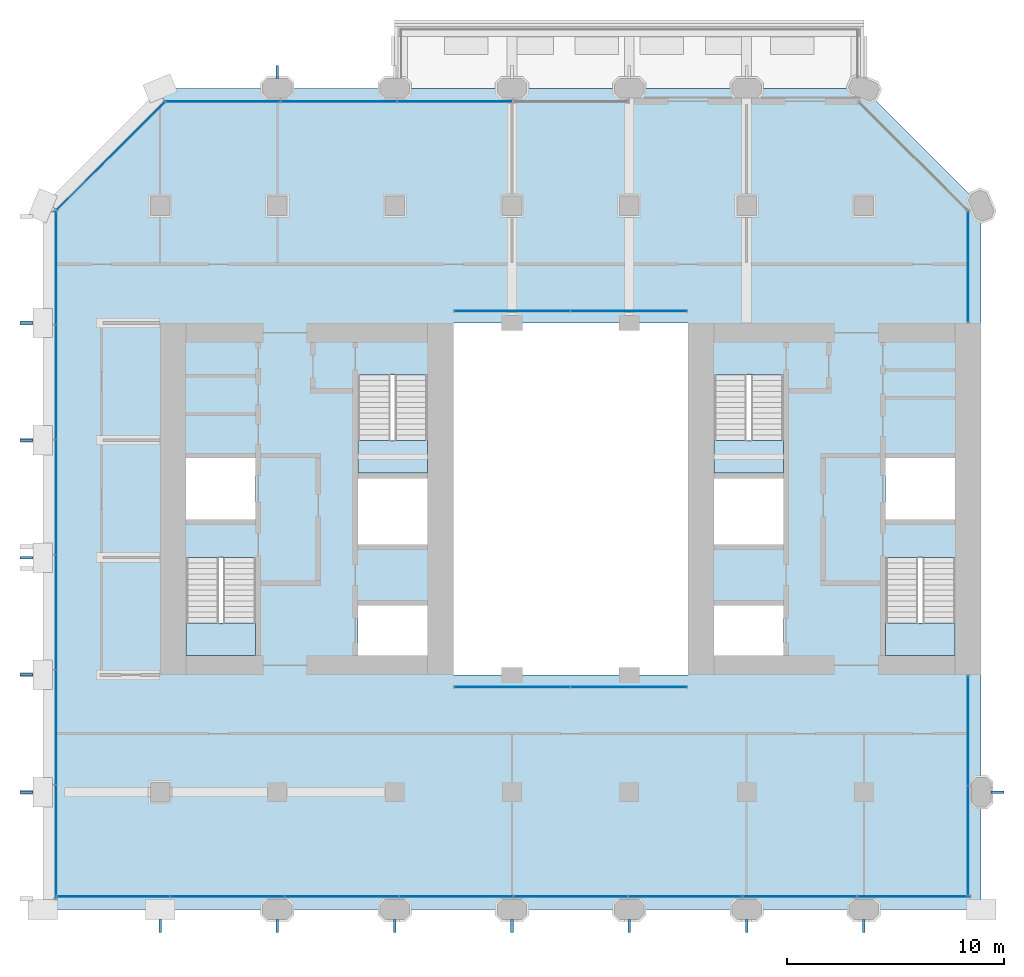
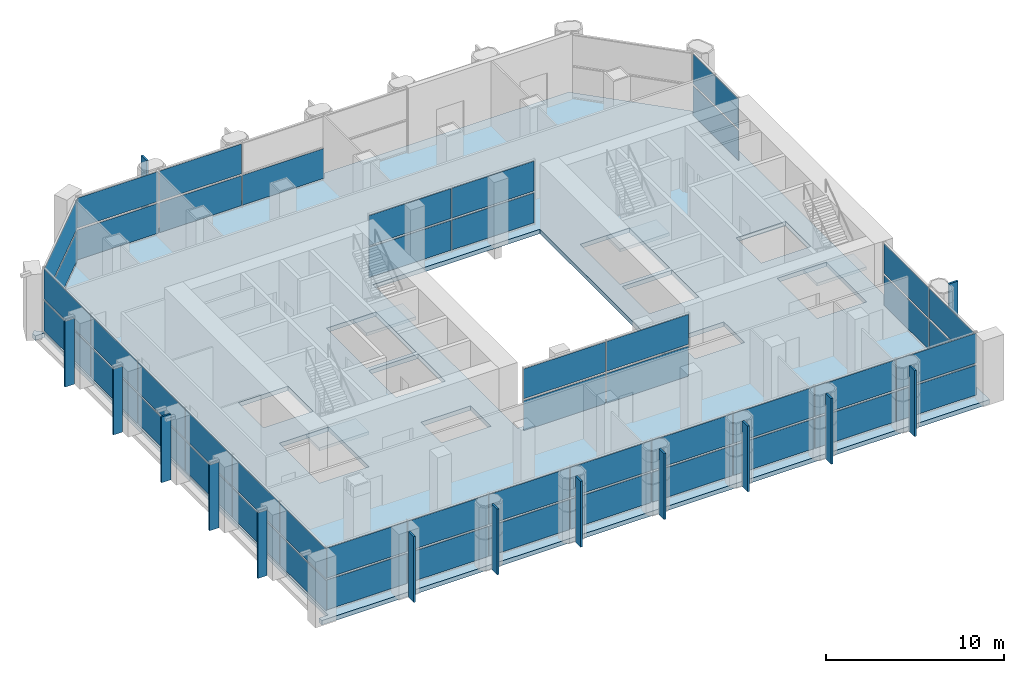
# One storey, part 9 of 15: 63 plates, 5 slabs, 12 elements without a shape of their own.
"""IFC4 building model written with IfcOpenShell, lengths in metres."""

from ifc_helpers import new_model, si_unit, direction, frame, origin, origin_2d, place, context, subcontext, project, spatial, polyline, rectangle, outline, extrude, material, layer, layer_set, type_object, element, aggregate, save


model = new_model("IFC4")

# Units and contexts
model_context = context("Model", 3, precision=1e-05, world=origin(), true_north=direction((0.0, 1.0)))
body_context = subcontext(model_context, "Body", "Model", "MODEL_VIEW")
ifc_project = project(units=[si_unit("LENGTHUNIT", "METRE"), si_unit("AREAUNIT", "SQUARE_METRE"), si_unit("VOLUMEUNIT", "CUBIC_METRE"), si_unit("PLANEANGLEUNIT", "RADIAN"), si_unit("MASSUNIT", "GRAM", prefix="KILO")], contexts=[model_context])

# Site, building, storey
site_placement = place(None, origin())
site = spatial("IfcSite", under=ifc_project, at=site_placement, CompositionType="ELEMENT")
building_placement = place(site_placement, origin())
building = spatial("IfcBuilding", under=site, at=building_placement, Name="Tabaq Tower and Sports Hall", CompositionType="ELEMENT")
storey_placement = place(building_placement, frame((0.0, 0.0, 148.0)))
storey = spatial("IfcBuildingStorey", under=building, at=storey_placement, Name="L34", CompositionType="ELEMENT", Elevation=148.0)

# Curtain wall, plates
ifc_material_1 = material(Name="Aluminium alloy 6063-T6 framed glazing", Category="aluminium")
curtain_wall_type_1 = type_object("IfcCurtainWallType", Name="CW1 curtain wall", PredefinedType="USERDEFINED", material=ifc_material_1)
curtain_wall_1_placement = place(storey_placement, origin())
curtain_wall_1 = element("IfcCurtainWall", 1, at=curtain_wall_1_placement, inside=storey, type_object=curtain_wall_type_1, Name="Atrium glazing L34 S", ObjectType="ATRIUM ENCLOSURE", PredefinedType="USERDEFINED")
ifc_material_2 = material(Name="Clear low-emissivity glass 28 mm", Category="glass")
ifc_layer_1 = layer(ifc_material_2, 0.028076171875)
ifc_layer_set_1 = layer_set([ifc_layer_1], Name="CW1 glass panel 28")
plate_type_1 = type_object("IfcPlateType", Name="CW1 glass panel 28", PredefinedType="CURTAIN_PANEL", material=ifc_layer_set_1)
plate_1_placement = place(storey_placement, frame((21.614990234375, 15.64990234375, 0.139892578125), z_axis=(0.0, 0.0, 1.0), x_axis=(1.0, 0.0, 0.0)))
plate_1 = element("IfcPlate", 2, at=plate_1_placement, type_object=plate_type_1, Name="CW1 panel 1.1", PredefinedType="CURTAIN_PANEL", context=body_context, shape_type="SweptSolid", body=[
    extrude(rectangle(XDim=5.31005859375, YDim=0.028076171875, at=origin_2d()), origin(), (0.0, 0.0, 1.0), 2.0400390625),
])
plate_2_placement = place(storey_placement, frame((21.614990234375, 15.64990234375, 2.320068359375), z_axis=(0.0, 0.0, 1.0), x_axis=(1.0, 0.0, 0.0)))
plate_2 = element("IfcPlate", 3, at=plate_2_placement, type_object=plate_type_1, Name="CW1 panel 1.2", PredefinedType="CURTAIN_PANEL", context=body_context, shape_type="SweptSolid", body=[
    extrude(rectangle(XDim=5.31005859375, YDim=0.028076171875, at=origin_2d()), origin(), (0.0, 0.0, 1.0), 2.0400390625),
])
plate_3_placement = place(storey_placement, frame((26.985107421875, 15.64990234375, 0.139892578125), z_axis=(0.0, 0.0, 1.0), x_axis=(1.0, 0.0, 0.0)))
plate_3 = element("IfcPlate", 4, at=plate_3_placement, type_object=plate_type_1, Name="CW1 panel 2.1", PredefinedType="CURTAIN_PANEL", context=body_context, shape_type="SweptSolid", body=[
    extrude(rectangle(XDim=5.31005859375, YDim=0.028076171875, at=origin_2d()), origin(), (0.0, 0.0, 1.0), 2.0400390625),
])
plate_4_placement = place(storey_placement, frame((26.985107421875, 15.64990234375, 2.320068359375), z_axis=(0.0, 0.0, 1.0), x_axis=(1.0, 0.0, 0.0)))
plate_4 = element("IfcPlate", 5, at=plate_4_placement, type_object=plate_type_1, Name="CW1 panel 2.2", PredefinedType="CURTAIN_PANEL", context=body_context, shape_type="SweptSolid", body=[
    extrude(rectangle(XDim=5.31005859375, YDim=0.028076171875, at=origin_2d()), origin(), (0.0, 0.0, 1.0), 2.0400390625),
])
aggregate(curtain_wall_1, [plate_1, plate_2, plate_3, plate_4])

curtain_wall_2_placement = place(storey_placement, origin())
curtain_wall_2 = element("IfcCurtainWall", 6, at=curtain_wall_2_placement, inside=storey, type_object=curtain_wall_type_1, Name="Atrium glazing L34 N", ObjectType="ATRIUM ENCLOSURE", PredefinedType="USERDEFINED")
plate_5_placement = place(storey_placement, frame((21.614990234375, 32.949951171875, 0.139892578125), z_axis=(0.0, 0.0, 1.0), x_axis=(1.0, 0.0, 0.0)))
plate_5 = element("IfcPlate", 7, at=plate_5_placement, type_object=plate_type_1, Name="CW1 panel 1.1", PredefinedType="CURTAIN_PANEL", context=body_context, shape_type="SweptSolid", body=[
    extrude(rectangle(XDim=5.31005859375, YDim=0.028076171875, at=origin_2d()), origin(), (0.0, 0.0, 1.0), 2.0400390625),
])
plate_6_placement = place(storey_placement, frame((21.614990234375, 32.949951171875, 2.320068359375), z_axis=(0.0, 0.0, 1.0), x_axis=(1.0, 0.0, 0.0)))
plate_6 = element("IfcPlate", 8, at=plate_6_placement, type_object=plate_type_1, Name="CW1 panel 1.2", PredefinedType="CURTAIN_PANEL", context=body_context, shape_type="SweptSolid", body=[
    extrude(rectangle(XDim=5.31005859375, YDim=0.028076171875, at=origin_2d()), origin(), (0.0, 0.0, 1.0), 2.0400390625),
])
plate_7_placement = place(storey_placement, frame((26.985107421875, 32.949951171875, 0.139892578125), z_axis=(0.0, 0.0, 1.0), x_axis=(1.0, 0.0, 0.0)))
plate_7 = element("IfcPlate", 9, at=plate_7_placement, type_object=plate_type_1, Name="CW1 panel 2.1", PredefinedType="CURTAIN_PANEL", context=body_context, shape_type="SweptSolid", body=[
    extrude(rectangle(XDim=5.31005859375, YDim=0.028076171875, at=origin_2d()), origin(), (0.0, 0.0, 1.0), 2.0400390625),
])
plate_8_placement = place(storey_placement, frame((26.985107421875, 32.949951171875, 2.320068359375), z_axis=(0.0, 0.0, 1.0), x_axis=(1.0, 0.0, 0.0)))
plate_8 = element("IfcPlate", 10, at=plate_8_placement, type_object=plate_type_1, Name="CW1 panel 2.2", PredefinedType="CURTAIN_PANEL", context=body_context, shape_type="SweptSolid", body=[
    extrude(rectangle(XDim=5.31005859375, YDim=0.028076171875, at=origin_2d()), origin(), (0.0, 0.0, 1.0), 2.0400390625),
])
aggregate(curtain_wall_2, [plate_5, plate_6, plate_7, plate_8])

ifc_material_3 = material(Name="Aluminium alloy 6063-T6 framed glazing", Category="aluminium")
curtain_wall_type_2 = type_object("IfcCurtainWallType", Name="CW3 curtain wall", PredefinedType="USERDEFINED", material=ifc_material_3)
curtain_wall_3_placement = place(storey_placement, origin())
curtain_wall_3 = element("IfcCurtainWall", 11, at=curtain_wall_3_placement, inside=storey, type_object=curtain_wall_type_2, Name="Garden Floor Wall L34 S", ObjectType="GARDEN FLOOR WALL", PredefinedType="USERDEFINED")
ifc_material_4 = material(Name="Clear low-emissivity glass 28 mm", Category="glass")
ifc_layer_2 = layer(ifc_material_4, 0.028076171875)
ifc_layer_set_2 = layer_set([ifc_layer_2], Name="CW3 glass panel 28")
plate_type_2 = type_object("IfcPlateType", Name="CW3 glass panel 28", PredefinedType="CURTAIN_PANEL", material=ifc_layer_set_2)
plate_9_placement = place(storey_placement, frame((3.249267578125, 6.0, 0.139892578125), z_axis=(0.0, 0.0, 1.0), x_axis=(1.0, 0.0, 0.0)))
plate_9 = element("IfcPlate", 12, at=plate_9_placement, type_object=plate_type_2, Name="CW3 panel 1.1", PredefinedType="CURTAIN_PANEL", context=body_context, shape_type="SweptSolid", body=[
    extrude(rectangle(XDim=5.1787109375, YDim=0.028076171875, at=origin_2d()), origin(), (0.0, 0.0, 1.0), 2.0400390625),
])
plate_10_placement = place(storey_placement, frame((3.249267578125, 6.0, 2.320068359375), z_axis=(0.0, 0.0, 1.0), x_axis=(1.0, 0.0, 0.0)))
plate_10 = element("IfcPlate", 13, at=plate_10_placement, type_object=plate_type_2, Name="CW3 panel 1.2", PredefinedType="CURTAIN_PANEL", context=body_context, shape_type="SweptSolid", body=[
    extrude(rectangle(XDim=5.1787109375, YDim=0.028076171875, at=origin_2d()), origin(), (0.0, 0.0, 1.0), 2.0400390625),
])
plate_11_placement = place(storey_placement, frame((8.503173828125, 6.0, 0.139892578125), z_axis=(0.0, 0.0, 1.0), x_axis=(1.0, 0.0, 0.0)))
plate_11 = element("IfcPlate", 14, at=plate_11_placement, type_object=plate_type_2, Name="CW3 panel 2.1", PredefinedType="CURTAIN_PANEL", context=body_context, shape_type="SweptSolid", body=[
    extrude(rectangle(XDim=5.208740234375, YDim=0.028076171875, at=origin_2d()), origin(), (0.0, 0.0, 1.0), 2.0400390625),
])
plate_12_placement = place(storey_placement, frame((8.503173828125, 6.0, 2.320068359375), z_axis=(0.0, 0.0, 1.0), x_axis=(1.0, 0.0, 0.0)))
plate_12 = element("IfcPlate", 15, at=plate_12_placement, type_object=plate_type_2, Name="CW3 panel 2.2", PredefinedType="CURTAIN_PANEL", context=body_context, shape_type="SweptSolid", body=[
    extrude(rectangle(XDim=5.208740234375, YDim=0.028076171875, at=origin_2d()), origin(), (0.0, 0.0, 1.0), 2.0400390625),
])
plate_13_placement = place(storey_placement, frame((13.77197265625, 6.0, 0.139892578125), z_axis=(0.0, 0.0, 1.0), x_axis=(1.0, 0.0, 0.0)))
plate_13 = element("IfcPlate", 16, at=plate_13_placement, type_object=plate_type_2, Name="CW3 panel 3.1", PredefinedType="CURTAIN_PANEL", context=body_context, shape_type="SweptSolid", body=[
    extrude(rectangle(XDim=5.208740234375, YDim=0.028076171875, at=origin_2d()), origin(), (0.0, 0.0, 1.0), 2.0400390625),
])
plate_14_placement = place(storey_placement, frame((13.77197265625, 6.0, 2.320068359375), z_axis=(0.0, 0.0, 1.0), x_axis=(1.0, 0.0, 0.0)))
plate_14 = element("IfcPlate", 17, at=plate_14_placement, type_object=plate_type_2, Name="CW3 panel 3.2", PredefinedType="CURTAIN_PANEL", context=body_context, shape_type="SweptSolid", body=[
    extrude(rectangle(XDim=5.208740234375, YDim=0.028076171875, at=origin_2d()), origin(), (0.0, 0.0, 1.0), 2.0400390625),
])
plate_15_placement = place(storey_placement, frame((19.04052734375, 6.0, 0.139892578125), z_axis=(0.0, 0.0, 1.0), x_axis=(1.0, 0.0, 0.0)))
plate_15 = element("IfcPlate", 18, at=plate_15_placement, type_object=plate_type_2, Name="CW3 panel 4.1", PredefinedType="CURTAIN_PANEL", context=body_context, shape_type="SweptSolid", body=[
    extrude(rectangle(XDim=5.208740234375, YDim=0.028076171875, at=origin_2d()), origin(), (0.0, 0.0, 1.0), 2.0400390625),
])
plate_16_placement = place(storey_placement, frame((19.04052734375, 6.0, 2.320068359375), z_axis=(0.0, 0.0, 1.0), x_axis=(1.0, 0.0, 0.0)))
plate_16 = element("IfcPlate", 19, at=plate_16_placement, type_object=plate_type_2, Name="CW3 panel 4.2", PredefinedType="CURTAIN_PANEL", context=body_context, shape_type="SweptSolid", body=[
    extrude(rectangle(XDim=5.208740234375, YDim=0.028076171875, at=origin_2d()), origin(), (0.0, 0.0, 1.0), 2.0400390625),
])
plate_17_placement = place(storey_placement, frame((24.309326171875, 6.0, 0.139892578125), z_axis=(0.0, 0.0, 1.0), x_axis=(1.0, 0.0, 0.0)))
plate_17 = element("IfcPlate", 20, at=plate_17_placement, type_object=plate_type_2, Name="CW3 panel 5.1", PredefinedType="CURTAIN_PANEL", context=body_context, shape_type="SweptSolid", body=[
    extrude(rectangle(XDim=5.208740234375, YDim=0.028076171875, at=origin_2d()), origin(), (0.0, 0.0, 1.0), 2.0400390625),
])
plate_18_placement = place(storey_placement, frame((24.309326171875, 6.0, 2.320068359375), z_axis=(0.0, 0.0, 1.0), x_axis=(1.0, 0.0, 0.0)))
plate_18 = element("IfcPlate", 21, at=plate_18_placement, type_object=plate_type_2, Name="CW3 panel 5.2", PredefinedType="CURTAIN_PANEL", context=body_context, shape_type="SweptSolid", body=[
    extrude(rectangle(XDim=5.208740234375, YDim=0.028076171875, at=origin_2d()), origin(), (0.0, 0.0, 1.0), 2.0400390625),
])
plate_19_placement = place(storey_placement, frame((29.578125, 6.0, 0.139892578125), z_axis=(0.0, 0.0, 1.0), x_axis=(1.0, 0.0, 0.0)))
plate_19 = element("IfcPlate", 22, at=plate_19_placement, type_object=plate_type_2, Name="CW3 panel 6.1", PredefinedType="CURTAIN_PANEL", context=body_context, shape_type="SweptSolid", body=[
    extrude(rectangle(XDim=5.208740234375, YDim=0.028076171875, at=origin_2d()), origin(), (0.0, 0.0, 1.0), 2.0400390625),
])
plate_20_placement = place(storey_placement, frame((29.578125, 6.0, 2.320068359375), z_axis=(0.0, 0.0, 1.0), x_axis=(1.0, 0.0, 0.0)))
plate_20 = element("IfcPlate", 23, at=plate_20_placement, type_object=plate_type_2, Name="CW3 panel 6.2", PredefinedType="CURTAIN_PANEL", context=body_context, shape_type="SweptSolid", body=[
    extrude(rectangle(XDim=5.208740234375, YDim=0.028076171875, at=origin_2d()), origin(), (0.0, 0.0, 1.0), 2.0400390625),
])
plate_21_placement = place(storey_placement, frame((34.846923828125, 6.0, 0.139892578125), z_axis=(0.0, 0.0, 1.0), x_axis=(1.0, 0.0, 0.0)))
plate_21 = element("IfcPlate", 24, at=plate_21_placement, type_object=plate_type_2, Name="CW3 panel 7.1", PredefinedType="CURTAIN_PANEL", context=body_context, shape_type="SweptSolid", body=[
    extrude(rectangle(XDim=5.208740234375, YDim=0.028076171875, at=origin_2d()), origin(), (0.0, 0.0, 1.0), 2.0400390625),
])
plate_22_placement = place(storey_placement, frame((34.846923828125, 6.0, 2.320068359375), z_axis=(0.0, 0.0, 1.0), x_axis=(1.0, 0.0, 0.0)))
plate_22 = element("IfcPlate", 25, at=plate_22_placement, type_object=plate_type_2, Name="CW3 panel 7.2", PredefinedType="CURTAIN_PANEL", context=body_context, shape_type="SweptSolid", body=[
    extrude(rectangle(XDim=5.208740234375, YDim=0.028076171875, at=origin_2d()), origin(), (0.0, 0.0, 1.0), 2.0400390625),
])
plate_23_placement = place(storey_placement, frame((40.1005859375, 6.0, 0.139892578125), z_axis=(0.0, 0.0, 1.0), x_axis=(1.0, 0.0, 0.0)))
plate_23 = element("IfcPlate", 26, at=plate_23_placement, type_object=plate_type_2, Name="CW3 panel 8.1", PredefinedType="CURTAIN_PANEL", context=body_context, shape_type="SweptSolid", body=[
    extrude(rectangle(XDim=5.1787109375, YDim=0.028076171875, at=origin_2d()), origin(), (0.0, 0.0, 1.0), 2.0400390625),
])
plate_24_placement = place(storey_placement, frame((40.1005859375, 6.0, 2.320068359375), z_axis=(0.0, 0.0, 1.0), x_axis=(1.0, 0.0, 0.0)))
plate_24 = element("IfcPlate", 27, at=plate_24_placement, type_object=plate_type_2, Name="CW3 panel 8.2", PredefinedType="CURTAIN_PANEL", context=body_context, shape_type="SweptSolid", body=[
    extrude(rectangle(XDim=5.1787109375, YDim=0.028076171875, at=origin_2d()), origin(), (0.0, 0.0, 1.0), 2.0400390625),
])
aggregate(curtain_wall_3, [plate_9, plate_10, plate_11, plate_12, plate_13, plate_14, plate_15, plate_16, plate_17, plate_18, plate_19, plate_20, plate_21, plate_22, plate_23, plate_24])

curtain_wall_4_placement = place(storey_placement, origin())
curtain_wall_4 = element("IfcCurtainWall", 28, at=curtain_wall_4_placement, inside=storey, type_object=curtain_wall_type_2, Name="Garden Floor Wall L34 E", ObjectType="GARDEN FLOOR WALL", PredefinedType="USERDEFINED")
plate_25_placement = place(storey_placement, frame((42.60009765625, 8.56494140625, 0.139892578125), z_axis=(0.0, 0.0, 1.0), x_axis=(0.0, 1.0, 0.0)))
plate_25 = element("IfcPlate", 29, at=plate_25_placement, type_object=plate_type_2, Name="CW3 panel 1.1", PredefinedType="CURTAIN_PANEL", context=body_context, shape_type="SweptSolid", body=[
    extrude(rectangle(XDim=5.010009765625, YDim=0.028076171875, at=origin_2d()), origin(), (0.0, 0.0, 1.0), 2.0400390625),
])
plate_26_placement = place(storey_placement, frame((42.60009765625, 8.56494140625, 2.320068359375), z_axis=(0.0, 0.0, 1.0), x_axis=(0.0, 1.0, 0.0)))
plate_26 = element("IfcPlate", 30, at=plate_26_placement, type_object=plate_type_2, Name="CW3 panel 1.2", PredefinedType="CURTAIN_PANEL", context=body_context, shape_type="SweptSolid", body=[
    extrude(rectangle(XDim=5.010009765625, YDim=0.028076171875, at=origin_2d()), origin(), (0.0, 0.0, 1.0), 2.0400390625),
])
plate_27_placement = place(storey_placement, frame((42.60009765625, 13.635009765625, 0.139892578125), z_axis=(0.0, 0.0, 1.0), x_axis=(0.0, 1.0, 0.0)))
plate_27 = element("IfcPlate", 31, at=plate_27_placement, type_object=plate_type_2, Name="CW3 panel 2.1", PredefinedType="CURTAIN_PANEL", context=body_context, shape_type="SweptSolid", body=[
    extrude(rectangle(XDim=5.010009765625, YDim=0.028076171875, at=origin_2d()), origin(), (0.0, 0.0, 1.0), 2.0400390625),
])
plate_28_placement = place(storey_placement, frame((42.60009765625, 13.635009765625, 2.320068359375), z_axis=(0.0, 0.0, 1.0), x_axis=(0.0, 1.0, 0.0)))
plate_28 = element("IfcPlate", 32, at=plate_28_placement, type_object=plate_type_2, Name="CW3 panel 2.2", PredefinedType="CURTAIN_PANEL", context=body_context, shape_type="SweptSolid", body=[
    extrude(rectangle(XDim=5.010009765625, YDim=0.028076171875, at=origin_2d()), origin(), (0.0, 0.0, 1.0), 2.0400390625),
])
aggregate(curtain_wall_4, [plate_25, plate_26, plate_27, plate_28])

curtain_wall_5_placement = place(storey_placement, origin())
curtain_wall_5 = element("IfcCurtainWall", 33, at=curtain_wall_5_placement, inside=storey, type_object=curtain_wall_type_2, Name="Garden Floor Wall L34 E", ObjectType="GARDEN FLOOR WALL", PredefinedType="USERDEFINED")
plate_29_placement = place(storey_placement, frame((42.60009765625, 35.0068359375, 0.139892578125), z_axis=(0.0, 0.0, 1.0), x_axis=(0.0, 1.0, 0.0)))
plate_29 = element("IfcPlate", 34, at=plate_29_placement, type_object=plate_type_2, Name="CW3 panel 1.1", PredefinedType="CURTAIN_PANEL", context=body_context, shape_type="SweptSolid", body=[
    extrude(rectangle(XDim=5.093505859375, YDim=0.028076171875, at=origin_2d()), origin(), (0.0, 0.0, 1.0), 2.0400390625),
])
plate_30_placement = place(storey_placement, frame((42.60009765625, 35.0068359375, 2.320068359375), z_axis=(0.0, 0.0, 1.0), x_axis=(0.0, 1.0, 0.0)))
plate_30 = element("IfcPlate", 35, at=plate_30_placement, type_object=plate_type_2, Name="CW3 panel 1.2", PredefinedType="CURTAIN_PANEL", context=body_context, shape_type="SweptSolid", body=[
    extrude(rectangle(XDim=5.093505859375, YDim=0.028076171875, at=origin_2d()), origin(), (0.0, 0.0, 1.0), 2.0400390625),
])
aggregate(curtain_wall_5, [plate_29, plate_30])

curtain_wall_6_placement = place(storey_placement, origin())
curtain_wall_6 = element("IfcCurtainWall", 36, at=curtain_wall_6_placement, inside=storey, type_object=curtain_wall_type_2, Name="Garden Floor Wall L34 N", ObjectType="GARDEN FLOOR WALL", PredefinedType="USERDEFINED")
plate_31_placement = place(storey_placement, frame((18.969970703125, 42.60009765625, 0.139892578125), z_axis=(0.0, 0.0, 1.0), x_axis=(-1.0, 0.0, 0.0)))
plate_31 = element("IfcPlate", 37, at=plate_31_placement, type_object=plate_type_2, Name="CW3 panel 2.1", PredefinedType="CURTAIN_PANEL", context=body_context, shape_type="SweptSolid", body=[
    extrude(rectangle(XDim=5.29345703125, YDim=0.028076171875, at=origin_2d()), origin(), (0.0, 0.0, 1.0), 2.0400390625),
])
plate_32_placement = place(storey_placement, frame((13.616455078125, 42.60009765625, 0.139892578125), z_axis=(0.0, 0.0, 1.0), x_axis=(-1.0, 0.0, 0.0)))
plate_32 = element("IfcPlate", 38, at=plate_32_placement, type_object=plate_type_2, Name="CW3 panel 3.1", PredefinedType="CURTAIN_PANEL", context=body_context, shape_type="SweptSolid", body=[
    extrude(rectangle(XDim=5.29345703125, YDim=0.028076171875, at=origin_2d()), origin(), (0.0, 0.0, 1.0), 2.0400390625),
])
plate_33_placement = place(storey_placement, frame((13.616455078125, 42.60009765625, 2.320068359375), z_axis=(0.0, 0.0, 1.0), x_axis=(-1.0, 0.0, 0.0)))
plate_33 = element("IfcPlate", 39, at=plate_33_placement, type_object=plate_type_2, Name="CW3 panel 3.2", PredefinedType="CURTAIN_PANEL", context=body_context, shape_type="SweptSolid", body=[
    extrude(rectangle(XDim=5.29345703125, YDim=0.028076171875, at=origin_2d()), origin(), (0.0, 0.0, 1.0), 2.0400390625),
])
plate_34_placement = place(storey_placement, frame((8.278076171875, 42.60009765625, 0.139892578125), z_axis=(0.0, 0.0, 1.0), x_axis=(-1.0, 0.0, 0.0)))
plate_34 = element("IfcPlate", 40, at=plate_34_placement, type_object=plate_type_2, Name="CW3 panel 4.1", PredefinedType="CURTAIN_PANEL", context=body_context, shape_type="SweptSolid", body=[
    extrude(rectangle(XDim=5.263427734375, YDim=0.028076171875, at=origin_2d()), origin(), (0.0, 0.0, 1.0), 2.0400390625),
])
plate_35_placement = place(storey_placement, frame((8.278076171875, 42.60009765625, 2.320068359375), z_axis=(0.0, 0.0, 1.0), x_axis=(-1.0, 0.0, 0.0)))
plate_35 = element("IfcPlate", 41, at=plate_35_placement, type_object=plate_type_2, Name="CW3 panel 4.2", PredefinedType="CURTAIN_PANEL", context=body_context, shape_type="SweptSolid", body=[
    extrude(rectangle(XDim=5.263427734375, YDim=0.028076171875, at=origin_2d()), origin(), (0.0, 0.0, 1.0), 2.0400390625),
])
aggregate(curtain_wall_6, [plate_31, plate_32, plate_33, plate_34, plate_35])

curtain_wall_7_placement = place(storey_placement, origin())
curtain_wall_7 = element("IfcCurtainWall", 42, at=curtain_wall_7_placement, inside=storey, type_object=curtain_wall_type_2, Name="Garden Floor Wall L34 NW", ObjectType="GARDEN FLOOR WALL", PredefinedType="USERDEFINED")
plate_36_placement = place(storey_placement, frame((3.124267578125, 40.07568359375, 0.139892578125), z_axis=(0.0, 0.0, 1.0), x_axis=(-0.707106781187, -0.707106781187, 0.0)))
plate_36 = element("IfcPlate", 43, at=plate_36_placement, type_object=plate_type_2, Name="CW3 panel 1.1", PredefinedType="CURTAIN_PANEL", context=body_context, shape_type="SweptSolid", body=[
    extrude(rectangle(XDim=7.019775390625, YDim=0.028076171875, at=origin_2d()), origin(), (0.0, 0.0, 1.0), 2.0400390625),
])
plate_37_placement = place(storey_placement, frame((3.124267578125, 40.07568359375, 2.320068359375), z_axis=(0.0, 0.0, 1.0), x_axis=(-0.707106781187, -0.707106781187, 0.0)))
plate_37 = element("IfcPlate", 44, at=plate_37_placement, type_object=plate_type_2, Name="CW3 panel 1.2", PredefinedType="CURTAIN_PANEL", context=body_context, shape_type="SweptSolid", body=[
    extrude(rectangle(XDim=7.019775390625, YDim=0.028076171875, at=origin_2d()), origin(), (0.0, 0.0, 1.0), 2.0400390625),
])
aggregate(curtain_wall_7, [plate_36, plate_37])

curtain_wall_8_placement = place(storey_placement, origin())
curtain_wall_8 = element("IfcCurtainWall", 45, at=curtain_wall_8_placement, inside=storey, type_object=curtain_wall_type_2, Name="Garden Floor Wall L34 W", ObjectType="GARDEN FLOOR WALL", PredefinedType="USERDEFINED")
plate_38_placement = place(storey_placement, frame((0.60009765625, 34.95166015625, 0.139892578125), z_axis=(0.0, 0.0, 1.0), x_axis=(0.0, -1.0, 0.0)))
plate_38 = element("IfcPlate", 46, at=plate_38_placement, type_object=plate_type_2, Name="CW3 panel 1.1", PredefinedType="CURTAIN_PANEL", context=body_context, shape_type="SweptSolid", body=[
    extrude(rectangle(XDim=5.203857421875, YDim=0.028076171875, at=origin_2d()), origin(), (0.0, 0.0, 1.0), 2.0400390625),
])
plate_39_placement = place(storey_placement, frame((0.60009765625, 34.95166015625, 2.320068359375), z_axis=(0.0, 0.0, 1.0), x_axis=(0.0, -1.0, 0.0)))
plate_39 = element("IfcPlate", 47, at=plate_39_placement, type_object=plate_type_2, Name="CW3 panel 1.2", PredefinedType="CURTAIN_PANEL", context=body_context, shape_type="SweptSolid", body=[
    extrude(rectangle(XDim=5.203857421875, YDim=0.028076171875, at=origin_2d()), origin(), (0.0, 0.0, 1.0), 2.0400390625),
])
plate_40_placement = place(storey_placement, frame((0.60009765625, 29.672607421875, 0.139892578125), z_axis=(0.0, 0.0, 1.0), x_axis=(0.0, -1.0, 0.0)))
plate_40 = element("IfcPlate", 48, at=plate_40_placement, type_object=plate_type_2, Name="CW3 panel 2.1", PredefinedType="CURTAIN_PANEL", context=body_context, shape_type="SweptSolid", body=[
    extrude(rectangle(XDim=5.23388671875, YDim=0.028076171875, at=origin_2d()), origin(), (0.0, 0.0, 1.0), 2.0400390625),
])
plate_41_placement = place(storey_placement, frame((0.60009765625, 29.672607421875, 2.320068359375), z_axis=(0.0, 0.0, 1.0), x_axis=(0.0, -1.0, 0.0)))
plate_41 = element("IfcPlate", 49, at=plate_41_placement, type_object=plate_type_2, Name="CW3 panel 2.2", PredefinedType="CURTAIN_PANEL", context=body_context, shape_type="SweptSolid", body=[
    extrude(rectangle(XDim=5.23388671875, YDim=0.028076171875, at=origin_2d()), origin(), (0.0, 0.0, 1.0), 2.0400390625),
])
plate_42_placement = place(storey_placement, frame((0.60009765625, 24.378662109375, 0.139892578125), z_axis=(0.0, 0.0, 1.0), x_axis=(0.0, -1.0, 0.0)))
plate_42 = element("IfcPlate", 50, at=plate_42_placement, type_object=plate_type_2, Name="CW3 panel 3.1", PredefinedType="CURTAIN_PANEL", context=body_context, shape_type="SweptSolid", body=[
    extrude(rectangle(XDim=5.23388671875, YDim=0.028076171875, at=origin_2d()), origin(), (0.0, 0.0, 1.0), 2.0400390625),
])
plate_43_placement = place(storey_placement, frame((0.60009765625, 24.378662109375, 2.320068359375), z_axis=(0.0, 0.0, 1.0), x_axis=(0.0, -1.0, 0.0)))
plate_43 = element("IfcPlate", 51, at=plate_43_placement, type_object=plate_type_2, Name="CW3 panel 3.2", PredefinedType="CURTAIN_PANEL", context=body_context, shape_type="SweptSolid", body=[
    extrude(rectangle(XDim=5.23388671875, YDim=0.028076171875, at=origin_2d()), origin(), (0.0, 0.0, 1.0), 2.0400390625),
])
plate_44_placement = place(storey_placement, frame((0.60009765625, 19.084716796875, 0.139892578125), z_axis=(0.0, 0.0, 1.0), x_axis=(0.0, -1.0, 0.0)))
plate_44 = element("IfcPlate", 52, at=plate_44_placement, type_object=plate_type_2, Name="CW3 panel 4.1", PredefinedType="CURTAIN_PANEL", context=body_context, shape_type="SweptSolid", body=[
    extrude(rectangle(XDim=5.23388671875, YDim=0.028076171875, at=origin_2d()), origin(), (0.0, 0.0, 1.0), 2.0400390625),
])
plate_45_placement = place(storey_placement, frame((0.60009765625, 19.084716796875, 2.320068359375), z_axis=(0.0, 0.0, 1.0), x_axis=(0.0, -1.0, 0.0)))
plate_45 = element("IfcPlate", 53, at=plate_45_placement, type_object=plate_type_2, Name="CW3 panel 4.2", PredefinedType="CURTAIN_PANEL", context=body_context, shape_type="SweptSolid", body=[
    extrude(rectangle(XDim=5.23388671875, YDim=0.028076171875, at=origin_2d()), origin(), (0.0, 0.0, 1.0), 2.0400390625),
])
plate_46_placement = place(storey_placement, frame((0.60009765625, 13.791015625, 0.139892578125), z_axis=(0.0, 0.0, 1.0), x_axis=(0.0, -1.0, 0.0)))
plate_46 = element("IfcPlate", 54, at=plate_46_placement, type_object=plate_type_2, Name="CW3 panel 5.1", PredefinedType="CURTAIN_PANEL", context=body_context, shape_type="SweptSolid", body=[
    extrude(rectangle(XDim=5.23388671875, YDim=0.028076171875, at=origin_2d()), origin(), (0.0, 0.0, 1.0), 2.0400390625),
])
plate_47_placement = place(storey_placement, frame((0.60009765625, 13.791015625, 2.320068359375), z_axis=(0.0, 0.0, 1.0), x_axis=(0.0, -1.0, 0.0)))
plate_47 = element("IfcPlate", 55, at=plate_47_placement, type_object=plate_type_2, Name="CW3 panel 5.2", PredefinedType="CURTAIN_PANEL", context=body_context, shape_type="SweptSolid", body=[
    extrude(rectangle(XDim=5.23388671875, YDim=0.028076171875, at=origin_2d()), origin(), (0.0, 0.0, 1.0), 2.0400390625),
])
plate_48_placement = place(storey_placement, frame((0.60009765625, 8.511962890625, 0.139892578125), z_axis=(0.0, 0.0, 1.0), x_axis=(0.0, -1.0, 0.0)))
plate_48 = element("IfcPlate", 56, at=plate_48_placement, type_object=plate_type_2, Name="CW3 panel 6.1", PredefinedType="CURTAIN_PANEL", context=body_context, shape_type="SweptSolid", body=[
    extrude(rectangle(XDim=5.203857421875, YDim=0.028076171875, at=origin_2d()), origin(), (0.0, 0.0, 1.0), 2.0400390625),
])
plate_49_placement = place(storey_placement, frame((0.60009765625, 8.511962890625, 2.320068359375), z_axis=(0.0, 0.0, 1.0), x_axis=(0.0, -1.0, 0.0)))
plate_49 = element("IfcPlate", 57, at=plate_49_placement, type_object=plate_type_2, Name="CW3 panel 6.2", PredefinedType="CURTAIN_PANEL", context=body_context, shape_type="SweptSolid", body=[
    extrude(rectangle(XDim=5.203857421875, YDim=0.028076171875, at=origin_2d()), origin(), (0.0, 0.0, 1.0), 2.0400390625),
])
aggregate(curtain_wall_8, [plate_38, plate_39, plate_40, plate_41, plate_42, plate_43, plate_44, plate_45, plate_46, plate_47, plate_48, plate_49])

# Stair, slab
ifc_material_5 = material(Name="Concrete C40/50", Category="concrete")
stair_type = type_object("IfcStairType", Name="Exit stair", PredefinedType="HALF_TURN_STAIR", material=ifc_material_5)
stair_1_placement = place(storey_placement, origin())
stair_1 = element("IfcStair", 58, at=stair_1_placement, inside=storey, type_object=stair_type, Name="L34 Exit stair ST1", PredefinedType="HALF_TURN_STAIR")
ifc_material_6 = material(Name="Concrete C40/50", Category="concrete")
ifc_layer_3 = layer(ifc_material_6, 0.199951171875)
ifc_layer_set_3 = layer_set([ifc_layer_3], Name="Exit stair landing")
slab_type_1 = type_object("IfcSlabType", Name="Exit stair landing", PredefinedType="LANDING", material=ifc_layer_set_3)
slab_1_placement = place(storey_placement, frame((0.0, 0.0, 2.199951171875)))
slab_1 = element("IfcSlab", 59, at=slab_1_placement, type_object=slab_type_1, Name="ST1 landing 1", PredefinedType="LANDING", context=body_context, shape_type="SweptSolid", body=[
    extrude(outline(polyline([(6.60009765625, 18.60009765625), (6.60009765625, 17.10009765625), (9.800048828125, 17.10009765625), (9.800048828125, 18.60009765625), (6.60009765625, 18.60009765625)])), origin(), (0.0, 0.0, 1.0), 0.199951171875),
])
aggregate(stair_1, [slab_1])

stair_2_placement = place(storey_placement, origin())
stair_2 = element("IfcStair", 60, at=stair_2_placement, inside=storey, type_object=stair_type, Name="L34 Exit stair ST2", PredefinedType="HALF_TURN_STAIR")
slab_2_placement = place(storey_placement, frame((0.0, 0.0, 2.199951171875)))
slab_2 = element("IfcSlab", 61, at=slab_2_placement, type_object=slab_type_1, Name="ST2 landing 1", PredefinedType="LANDING", context=body_context, shape_type="SweptSolid", body=[
    extrude(outline(polyline([(14.5, 27.0), (14.5, 25.5), (17.699951171875, 25.5), (17.699951171875, 27.0), (14.5, 27.0)])), origin(), (0.0, 0.0, 1.0), 0.199951171875),
])
aggregate(stair_2, [slab_2])

stair_3_placement = place(storey_placement, origin())
stair_3 = element("IfcStair", 62, at=stair_3_placement, inside=storey, type_object=stair_type, Name="L34 Exit stair ST3", PredefinedType="HALF_TURN_STAIR")
slab_3_placement = place(storey_placement, frame((0.0, 0.0, 2.199951171875)))
slab_3 = element("IfcSlab", 63, at=slab_3_placement, type_object=slab_type_1, Name="ST3 landing 1", PredefinedType="LANDING", context=body_context, shape_type="SweptSolid", body=[
    extrude(outline(polyline([(38.800048828125, 18.60009765625), (38.800048828125, 17.10009765625), (42.0, 17.10009765625), (42.0, 18.60009765625), (38.800048828125, 18.60009765625)])), origin(), (0.0, 0.0, 1.0), 0.199951171875),
])
aggregate(stair_3, [slab_3])

stair_4_placement = place(storey_placement, origin())
stair_4 = element("IfcStair", 64, at=stair_4_placement, inside=storey, type_object=stair_type, Name="L34 Exit stair ST4", PredefinedType="HALF_TURN_STAIR")
slab_4_placement = place(storey_placement, frame((0.0, 0.0, 2.199951171875)))
slab_4 = element("IfcSlab", 65, at=slab_4_placement, type_object=slab_type_1, Name="ST4 landing 1", PredefinedType="LANDING", context=body_context, shape_type="SweptSolid", body=[
    extrude(outline(polyline([(30.89990234375, 27.0), (30.89990234375, 25.5), (34.10009765625, 25.5), (34.10009765625, 27.0), (30.89990234375, 27.0)])), origin(), (0.0, 0.0, 1.0), 0.199951171875),
])
aggregate(stair_4, [slab_4])

# Slab
ifc_material_7 = material(Name="Concrete C40/50", Category="concrete")
ifc_layer_4 = layer(ifc_material_7, 0.300048828125)
ifc_layer_set_4 = layer_set([ifc_layer_4], Name="PT FLOOR SLAB 300 C40/50")
slab_type_2 = type_object("IfcSlabType", Name="PT FLOOR SLAB 300 C40/50", PredefinedType="FLOOR", material=ifc_layer_set_4)
slab_5_placement = place(storey_placement, frame((0.0, 0.0, -0.300048828125)))
element("IfcSlab", 66, at=slab_5_placement, inside=storey, type_object=slab_type_2, Name="Floor Slab L34", PredefinedType="FLOOR", context=body_context, shape_type="SweptSolid", body=[
    extrude(outline(polyline([(37.800048828125, 43.199951171875), (5.39990234375, 43.199951171875), (5.22314453125, 43.023193359375), (5.57666015625, 42.669677734375), (5.6474609375, 42.598876953125), (0.63525390625, 37.5869140625), (0.211181640625, 38.010986328125), (0.0, 37.800048828125), (0.0, 37.50146484375), (0.5, 37.50146484375), (0.60009765625, 37.50146484375), (0.60009765625, 5.68994140625), (0.5, 5.68994140625), (0.0, 5.68994140625), (0.0, 5.39990234375), (43.199951171875, 5.39990234375), (43.199951171875, 37.800048828125), (37.800048828125, 43.199951171875)]), holes=[polyline([(14.5, 19.39990234375), (17.699951171875, 19.39990234375), (17.699951171875, 17.10009765625), (14.5, 17.10009765625), (14.5, 19.39990234375)]), polyline([(6.60009765625, 21.599365234375), (9.800048828125, 21.599365234375), (9.800048828125, 17.10009765625), (6.60009765625, 17.10009765625), (6.60009765625, 21.599365234375)]), polyline([(14.5, 25.25), (17.699951171875, 25.25), (17.699951171875, 22.199951171875), (14.5, 22.199951171875), (14.5, 25.25)]), polyline([(18.89990234375, 32.39990234375), (29.699951171875, 32.39990234375), (29.699951171875, 16.199951171875), (18.89990234375, 16.199951171875), (18.89990234375, 32.39990234375)]), polyline([(9.800048828125, 26.175048828125), (9.800048828125, 23.35009765625), (6.60009765625, 23.35009765625), (6.60009765625, 26.175048828125), (9.800048828125, 26.175048828125)]), polyline([(14.5, 29.99951171875), (17.699951171875, 29.99951171875), (17.699951171875, 25.5), (14.5, 25.5), (14.5, 29.99951171875)]), polyline([(34.10009765625, 19.39990234375), (34.10009765625, 17.10009765625), (30.89990234375, 17.10009765625), (30.89990234375, 19.39990234375), (34.10009765625, 19.39990234375)]), polyline([(42.0, 21.599365234375), (42.0, 17.10009765625), (38.800048828125, 17.10009765625), (38.800048828125, 21.599365234375), (42.0, 21.599365234375)]), polyline([(30.89990234375, 25.25), (34.10009765625, 25.25), (34.10009765625, 22.199951171875), (30.89990234375, 22.199951171875), (30.89990234375, 25.25)]), polyline([(42.0, 26.175048828125), (42.0, 23.35009765625), (38.800048828125, 23.35009765625), (38.800048828125, 26.175048828125), (42.0, 26.175048828125)]), polyline([(34.10009765625, 29.99951171875), (34.10009765625, 25.5), (30.89990234375, 25.5), (30.89990234375, 29.99951171875), (34.10009765625, 29.99951171875)])]), origin(), (0.0, 0.0, 1.0), 0.300048828125),
])

# Plates
ifc_material_8 = material(Name="White precast concrete C60/75 fin", Category="concrete")
ifc_layer_5 = layer(ifc_material_8, 0.1201171875)
ifc_layer_set_5 = layer_set([ifc_layer_5], Name="White precast concrete C60/75 fin 120")
plate_type_3 = type_object("IfcPlateType", Name="White precast concrete C60/75 fin 120", PredefinedType="USERDEFINED", material=ifc_layer_set_5)
for number, where, z_axis, x_axis, name in (
    (67, (5.39990234375, 4.64990234375, 0.0), (0.0, 0.0, 1.0), (1.0, 0.0, 0.0), "Fin L34 S"),
    (68, (10.800048828125, 4.64990234375, 0.0), (0.0, 0.0, 1.0), (1.0, 0.0, 0.0), "Fin L34 S"),
    (69, (16.199951171875, 4.64990234375, 0.0), (0.0, 0.0, 1.0), (1.0, 0.0, 0.0), "Fin L34 S"),
    (70, (21.60009765625, 4.64990234375, 0.0), (0.0, 0.0, 1.0), (1.0, 0.0, 0.0), "Fin L34 S"),
    (71, (27.0, 4.64990234375, 0.0), (0.0, 0.0, 1.0), (1.0, 0.0, 0.0), "Fin L34 S"),
    (72, (32.39990234375, 4.64990234375, 0.0), (0.0, 0.0, 1.0), (1.0, 0.0, 0.0), "Fin L34 S"),
    (73, (37.800048828125, 4.64990234375, 0.0), (0.0, 0.0, 1.0), (1.0, 0.0, 0.0), "Fin L34 S"),
    (74, (43.949951171875, 10.800048828125, 0.0), (0.0, 0.0, 1.0), (0.0, 1.0, 0.0), "Fin L34 E"),
    (75, (10.800048828125, 43.949951171875, 0.0), (0.0, 0.0, 1.0), (-1.0, 0.0, 0.0), "Fin L34 N"),
    (76, (-0.75, 32.39990234375, 0.0), (0.0, 0.0, 1.0), (0.0, -1.0, 0.0), "Fin L34 W"),
    (77, (-0.75, 27.0, 0.0), (0.0, 0.0, 1.0), (0.0, -1.0, 0.0), "Fin L34 W"),
    (78, (-0.75, 21.60009765625, 0.0), (0.0, 0.0, 1.0), (0.0, -1.0, 0.0), "Fin L34 W"),
    (79, (-0.75, 16.199951171875, 0.0), (0.0, 0.0, 1.0), (0.0, -1.0, 0.0), "Fin L34 W"),
    (80, (-0.75, 10.800048828125, 0.0), (0.0, 0.0, 1.0), (0.0, -1.0, 0.0), "Fin L34 W"),
):
    element("IfcPlate", number, at=place(storey_placement, frame(where, z_axis=z_axis, x_axis=x_axis)), inside=storey, type_object=plate_type_3, Name=name, ObjectType="FIN", PredefinedType="USERDEFINED", context=body_context, shape_type="SweptSolid", body=[
        extrude(rectangle(XDim=0.1201171875, YDim=0.60009765625, at=origin_2d()), origin(), (0.0, 0.0, 1.0), 4.5),
    ])

save(model, "model.ifc")
